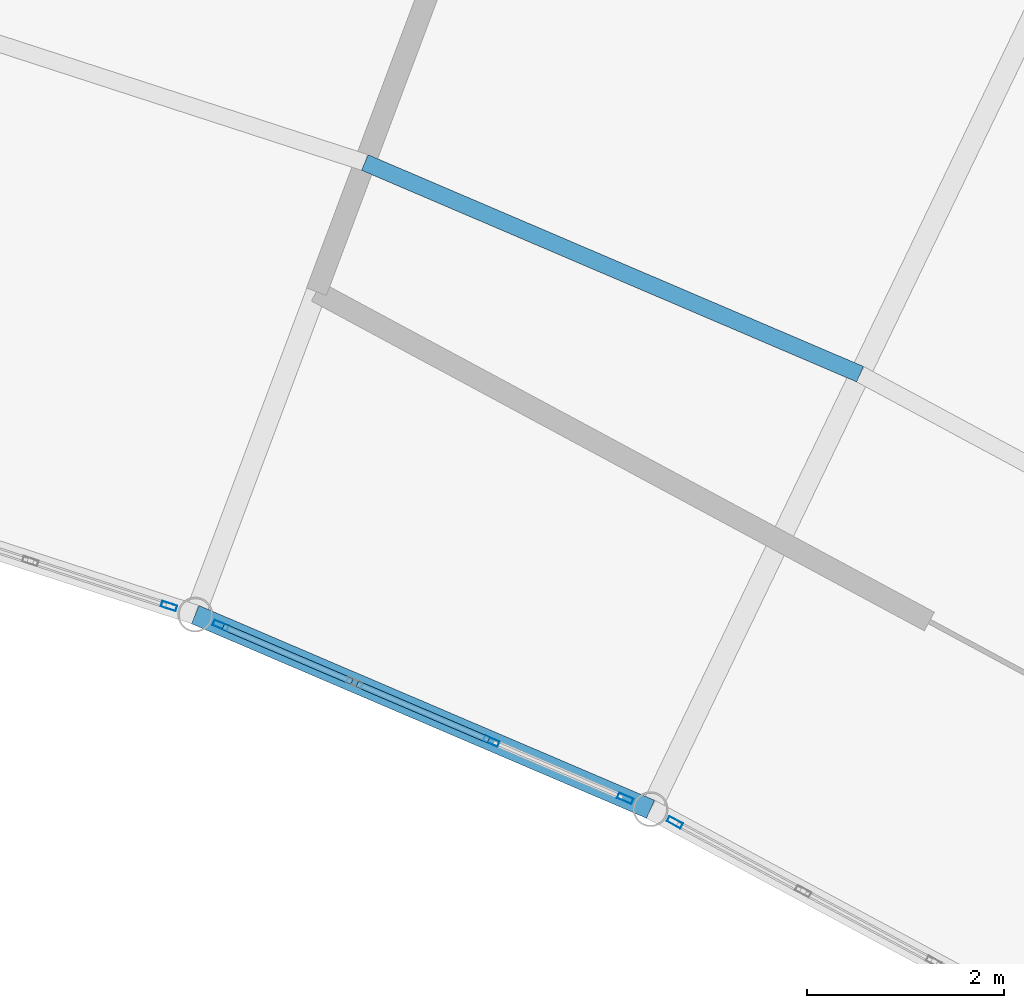
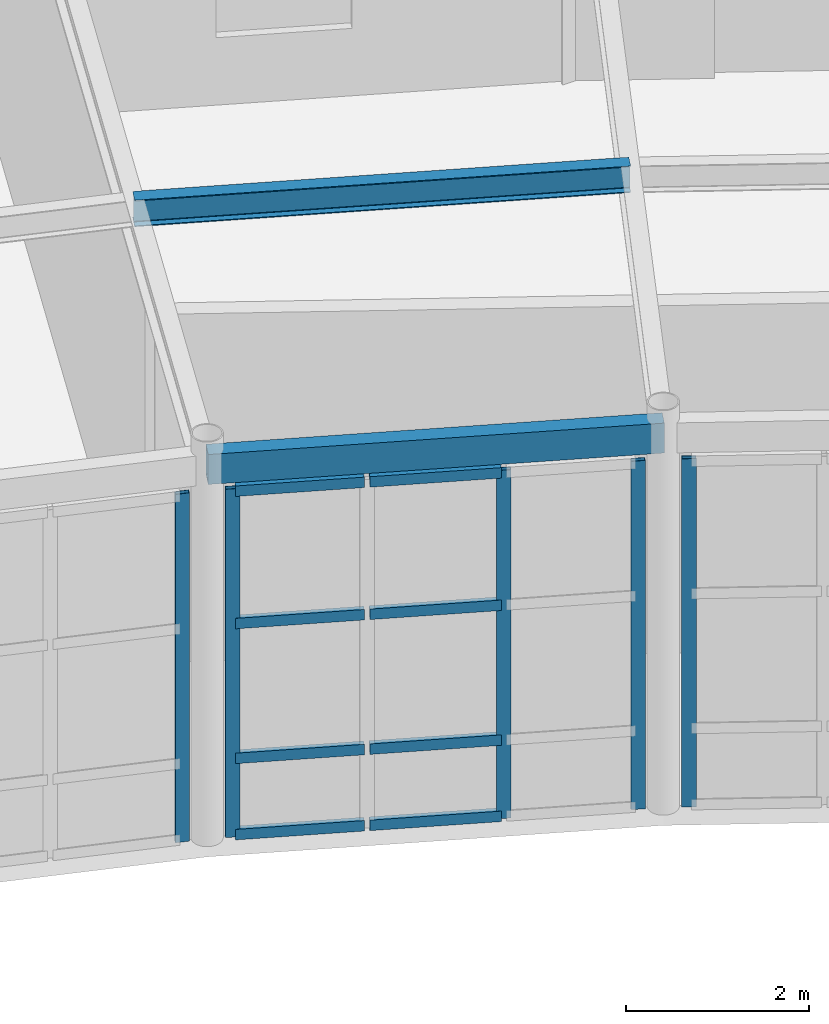
# One storey, part 51 of 87: 13 members, 2 beams, 3 elements without a shape of their own.
"""IFC4 building model written with IfcOpenShell, lengths in metres."""

from ifc_helpers import new_model, si_unit, direction, frame, origin, origin_2d, place, context, subcontext, project, spatial, hollow_rectangle, i_section, extrude, material, layer, layer_set, material_profile, profile_set, type_object, element, aggregate, save


model = new_model("IFC4")

# Units and contexts
model_context = context("Model", 3, precision=1e-05, world=origin(), true_north=direction((0.0, 1.0)))
body_context = subcontext(model_context, "Body", "Model", "MODEL_VIEW")
ifc_project = project(units=[si_unit("LENGTHUNIT", "METRE"), si_unit("AREAUNIT", "SQUARE_METRE"), si_unit("VOLUMEUNIT", "CUBIC_METRE"), si_unit("PLANEANGLEUNIT", "RADIAN"), si_unit("MASSUNIT", "GRAM", prefix="KILO")], contexts=[model_context])

# Site, building, storey
site_placement = place(None, origin())
site = spatial("IfcSite", under=ifc_project, at=site_placement, CompositionType="ELEMENT")
building_placement = place(site_placement, origin())
building = spatial("IfcBuilding", under=site, at=building_placement, Name="Selat Folded Stagehouse", CompositionType="ELEMENT")
storey_placement = place(building_placement, origin())
storey = spatial("IfcBuildingStorey", under=building, at=storey_placement, Name="L00", CompositionType="ELEMENT", Elevation=0.0)

# Curtain wall, member
ifc_material_1 = material(Name="Aluminium 6063-T6", Category="aluminium")
ifc_layer = layer(ifc_material_1, 0.18994140625)
ifc_layer_set = layer_set([ifc_layer], Name="Aluminium 6063-T6")
curtain_wall_type = type_object("IfcCurtainWallType", Name="CW-REH-ARC", PredefinedType="NOTDEFINED", material=ifc_layer_set)
curtain_wall_1_placement = place(storey_placement, origin())
curtain_wall_1 = element("IfcCurtainWall", 1, at=curtain_wall_1_placement, inside=storey, type_object=curtain_wall_type, Name="L00 curtain wall CW-REH-L00-10", PredefinedType="NOTDEFINED")
ifc_material_profile_1 = material_profile(ifc_material_1, hollow_rectangle(XDim=0.06005859375, YDim=0.159912109375, WallThickness=0.00390625, at=origin_2d()), Name="ALU 160x60x4.0")
ifc_profile_set_1 = profile_set([ifc_material_profile_1], Name="Aluminium 6063-T6")
member_type_1 = type_object("IfcMemberType", Name="CWM-MUL-160x60", PredefinedType="MULLION", material=ifc_profile_set_1)
member_1_placement = place(storey_placement, frame((111.810546875, 90.515869140625, 0.0), z_axis=(0.0, 0.0, 1.0), x_axis=(-0.308991620714, -0.951064760323, 0.0)))
member_1 = element("IfcMember", 2, at=member_1_placement, type_object=member_type_1, Name="CW-06 mullion 1", PredefinedType="MULLION", context=body_context, shape_type="SweptSolid", body=[
    extrude(hollow_rectangle(XDim=0.06005859375, YDim=0.159912109375, WallThickness=0.00390625, at=origin_2d()), origin(), (0.0, 0.0, 1.0), 4.64990234375),
])
aggregate(curtain_wall_1, [member_1])

# Curtain wall, members
curtain_wall_2_placement = place(storey_placement, origin())
curtain_wall_2 = element("IfcCurtainWall", 3, at=curtain_wall_2_placement, inside=storey, type_object=curtain_wall_type, Name="L00 curtain wall CW-REH-L00-11", PredefinedType="NOTDEFINED")
member_2_placement = place(storey_placement, frame((116.43994140625, 88.564453125, 0.0), z_axis=(0.0, 0.0, 1.0), x_axis=(-0.393012226483, -0.919533245639, 0.0)))
member_2 = element("IfcMember", 4, at=member_2_placement, type_object=member_type_1, Name="CW-06 mullion 1", PredefinedType="MULLION", context=body_context, shape_type="SweptSolid", body=[
    extrude(hollow_rectangle(XDim=0.06005859375, YDim=0.159912109375, WallThickness=0.00390625, at=origin_2d()), origin(), (0.0, 0.0, 1.0), 4.64990234375),
])
member_3_placement = place(storey_placement, frame((115.080810546875, 89.145263671875, 0.0), z_axis=(0.0, 0.0, 1.0), x_axis=(-0.393012226483, -0.919533245639, 0.0)))
member_3 = element("IfcMember", 5, at=member_3_placement, type_object=member_type_1, Name="CW-06 mullion 2", PredefinedType="MULLION", context=body_context, shape_type="SweptSolid", body=[
    extrude(hollow_rectangle(XDim=0.06005859375, YDim=0.159912109375, WallThickness=0.00390625, at=origin_2d()), origin(), (0.0, 0.0, 1.0), 4.64990234375),
])
member_4_placement = place(storey_placement, frame((112.33447265625, 90.319091796875, 0.0), z_axis=(0.0, 0.0, 1.0), x_axis=(-0.393012226483, -0.919533245639, 0.0)))
member_4 = element("IfcMember", 6, at=member_4_placement, type_object=member_type_1, Name="CW-06 mullion 4", PredefinedType="MULLION", context=body_context, shape_type="SweptSolid", body=[
    extrude(hollow_rectangle(XDim=0.06005859375, YDim=0.159912109375, WallThickness=0.00390625, at=origin_2d()), origin(), (0.0, 0.0, 1.0), 4.64990234375),
])

# Curtain wall, member
curtain_wall_3_placement = place(storey_placement, origin())
curtain_wall_3 = element("IfcCurtainWall", 7, at=curtain_wall_3_placement, inside=storey, type_object=curtain_wall_type, Name="L00 curtain wall CW-REH-L00-12", PredefinedType="NOTDEFINED")
member_5_placement = place(storey_placement, frame((116.944091796875, 88.321533203125, 0.0), z_axis=(0.0, 0.0, 1.0), x_axis=(-0.473858636259, -0.880600927119, 0.0)))
member_5 = element("IfcMember", 8, at=member_5_placement, type_object=member_type_1, Name="CW-06 mullion 4", PredefinedType="MULLION", context=body_context, shape_type="SweptSolid", body=[
    extrude(hollow_rectangle(XDim=0.06005859375, YDim=0.159912109375, WallThickness=0.00390625, at=origin_2d()), origin(), (0.0, 0.0, 1.0), 4.64990234375),
])
aggregate(curtain_wall_3, [member_5])

# Member
ifc_material_profile_2 = material_profile(ifc_material_1, hollow_rectangle(XDim=0.06494140625, YDim=0.139892578125, WallThickness=0.00390625, at=origin_2d()), Name="ALU 140x65x4.0")
ifc_profile_set_2 = profile_set([ifc_material_profile_2], Name="Aluminium 6063-T6")
member_type_2 = type_object("IfcMemberType", Name="CWM-TRN-140x65", PredefinedType="USERDEFINED", material=ifc_profile_set_2)
member_6_placement = place(storey_placement, frame((115.05322265625, 89.1572265625, 0.032470703125), z_axis=(-0.919563036089, 0.392942518263, 0.0), x_axis=(-0.392942518263, -0.919563036089, 0.0)))
member_6 = element("IfcMember", 9, at=member_6_placement, type_object=member_type_2, Name="CW-06 transom 2.1", ObjectType="TRANSOM", PredefinedType="USERDEFINED", context=body_context, shape_type="SweptSolid", body=[
    extrude(hollow_rectangle(XDim=0.06494140625, YDim=0.139892578125, WallThickness=0.00390625, at=origin_2d()), origin(), (0.0, 0.0, 1.0), 1.4482421875),
])

member_7_placement = place(storey_placement, frame((115.05322265625, 89.1572265625, 1.050048828125), z_axis=(-0.919563036089, 0.392942518263, 0.0), x_axis=(-0.392942518263, -0.919563036089, 0.0)))
member_7 = element("IfcMember", 10, at=member_7_placement, type_object=member_type_2, Name="CW-06 transom 2.2", ObjectType="TRANSOM", PredefinedType="USERDEFINED", context=body_context, shape_type="SweptSolid", body=[
    extrude(hollow_rectangle(XDim=0.06494140625, YDim=0.139892578125, WallThickness=0.00390625, at=origin_2d()), origin(), (0.0, 0.0, 1.0), 1.4482421875),
])

member_8_placement = place(storey_placement, frame((115.05322265625, 89.1572265625, 2.85009765625), z_axis=(-0.919563036089, 0.392942518263, 0.0), x_axis=(-0.392942518263, -0.919563036089, 0.0)))
member_8 = element("IfcMember", 11, at=member_8_placement, type_object=member_type_2, Name="CW-06 transom 2.3", ObjectType="TRANSOM", PredefinedType="USERDEFINED", context=body_context, shape_type="SweptSolid", body=[
    extrude(hollow_rectangle(XDim=0.06494140625, YDim=0.139892578125, WallThickness=0.00390625, at=origin_2d()), origin(), (0.0, 0.0, 1.0), 1.4482421875),
])

member_9_placement = place(storey_placement, frame((115.05322265625, 89.1572265625, 4.617431640625), z_axis=(-0.919563036089, 0.392942518263, 0.0), x_axis=(-0.392942518263, -0.919563036089, 0.0)))
member_9 = element("IfcMember", 12, at=member_9_placement, type_object=member_type_2, Name="CW-06 transom 2.4", ObjectType="TRANSOM", PredefinedType="USERDEFINED", context=body_context, shape_type="SweptSolid", body=[
    extrude(hollow_rectangle(XDim=0.06494140625, YDim=0.139892578125, WallThickness=0.00390625, at=origin_2d()), origin(), (0.0, 0.0, 1.0), 1.4482421875),
])

member_10_placement = place(storey_placement, frame((113.666259765625, 89.75, 0.032470703125), z_axis=(-0.919545213655, 0.392984223657, 0.0), x_axis=(-0.392984223657, -0.919545213655, 0.0)))
member_10 = element("IfcMember", 13, at=member_10_placement, type_object=member_type_2, Name="CW-06 transom 3.1", ObjectType="TRANSOM", PredefinedType="USERDEFINED", context=body_context, shape_type="SweptSolid", body=[
    extrude(hollow_rectangle(XDim=0.06494140625, YDim=0.139892578125, WallThickness=0.00390625, at=origin_2d()), origin(), (0.0, 0.0, 1.0), 1.418212890625),
])

member_11_placement = place(storey_placement, frame((113.666259765625, 89.75, 1.050048828125), z_axis=(-0.919545213655, 0.392984223657, 0.0), x_axis=(-0.392984223657, -0.919545213655, 0.0)))
member_11 = element("IfcMember", 14, at=member_11_placement, type_object=member_type_2, Name="CW-06 transom 3.2", ObjectType="TRANSOM", PredefinedType="USERDEFINED", context=body_context, shape_type="SweptSolid", body=[
    extrude(hollow_rectangle(XDim=0.06494140625, YDim=0.139892578125, WallThickness=0.00390625, at=origin_2d()), origin(), (0.0, 0.0, 1.0), 1.418212890625),
])

member_12_placement = place(storey_placement, frame((113.666259765625, 89.75, 2.85009765625), z_axis=(-0.919545213655, 0.392984223657, 0.0), x_axis=(-0.392984223657, -0.919545213655, 0.0)))
member_12 = element("IfcMember", 15, at=member_12_placement, type_object=member_type_2, Name="CW-06 transom 3.3", ObjectType="TRANSOM", PredefinedType="USERDEFINED", context=body_context, shape_type="SweptSolid", body=[
    extrude(hollow_rectangle(XDim=0.06494140625, YDim=0.139892578125, WallThickness=0.00390625, at=origin_2d()), origin(), (0.0, 0.0, 1.0), 1.418212890625),
])

member_13_placement = place(storey_placement, frame((113.666259765625, 89.75, 4.617431640625), z_axis=(-0.919545213655, 0.392984223657, 0.0), x_axis=(-0.392984223657, -0.919545213655, 0.0)))
member_13 = element("IfcMember", 16, at=member_13_placement, type_object=member_type_2, Name="CW-06 transom 3.4", ObjectType="TRANSOM", PredefinedType="USERDEFINED", context=body_context, shape_type="SweptSolid", body=[
    extrude(hollow_rectangle(XDim=0.06494140625, YDim=0.139892578125, WallThickness=0.00390625, at=origin_2d()), origin(), (0.0, 0.0, 1.0), 1.418212890625),
])

aggregate(curtain_wall_2, [member_2, member_3, member_4, member_6, member_7, member_8, member_9, member_10, member_11, member_12, member_13])

# Beams
ifc_material_2 = material(Name="Steel S355", Category="steel")
ifc_material_profile_3 = material_profile(ifc_material_2, i_section(OverallWidth=0.17138671875, OverallDepth=0.35498046875, WebThickness=0.00732421875, FlangeThickness=0.011474609375, FilletRadius=0.01025390625, at=origin_2d()), Name="UKB 356x171x51")
ifc_profile_set_3 = profile_set([ifc_material_profile_3], Name="Steel S355")
beam_type_1 = type_object("IfcBeamType", Name="JST-356x171x51", PredefinedType="JOIST", material=ifc_profile_set_3)
beam_1_placement = place(storey_placement, frame((113.798583984375, 95.0166015625, 5.00244140625), z_axis=(0.919530500952, -0.393018648182, 0.0), x_axis=(0.393018648182, 0.919530500952, 0.0)))
element("IfcBeam", 17, at=beam_1_placement, inside=storey, type_object=beam_type_1, Name="L00 curved rehearsal secondary joist 12.1", PredefinedType="JOIST", context=body_context, shape_type="SweptSolid", body=[
    extrude(i_section(OverallWidth=0.17138671875, OverallDepth=0.35498046875, WebThickness=0.00732421875, FlangeThickness=0.011474609375, FilletRadius=0.01025390625, at=origin_2d()), origin(), (0.0, 0.0, 1.0), 5.464599609375),
])
ifc_material_profile_4 = material_profile(ifc_material_2, hollow_rectangle(XDim=0.199951171875, YDim=0.39990234375, WallThickness=0.012451171875, at=origin_2d()), Name="RHS 400x200x12.5")
ifc_profile_set_4 = profile_set([ifc_material_profile_4], Name="Steel S355")
beam_type_2 = type_object("IfcBeamType", Name="SPD-EXT-400x200", PredefinedType="SPANDREL", material=ifc_profile_set_4)
beam_2_placement = place(storey_placement, frame((112.076904296875, 90.42919921875, 4.97998046875), z_axis=(0.919534104414, -0.393010217194, 0.0), x_axis=(0.393010217194, 0.919534104414, 0.0)))
element("IfcBeam", 18, at=beam_2_placement, inside=storey, type_object=beam_type_2, Name="L00 inner curved rehearsal spandrel 12", PredefinedType="SPANDREL", context=body_context, shape_type="SweptSolid", body=[
    extrude(hollow_rectangle(XDim=0.199951171875, YDim=0.39990234375, WallThickness=0.012451171875, at=origin_2d()), origin(), (0.0, 0.0, 1.0), 5.02490234375),
])

save(model, "model.ifc")
